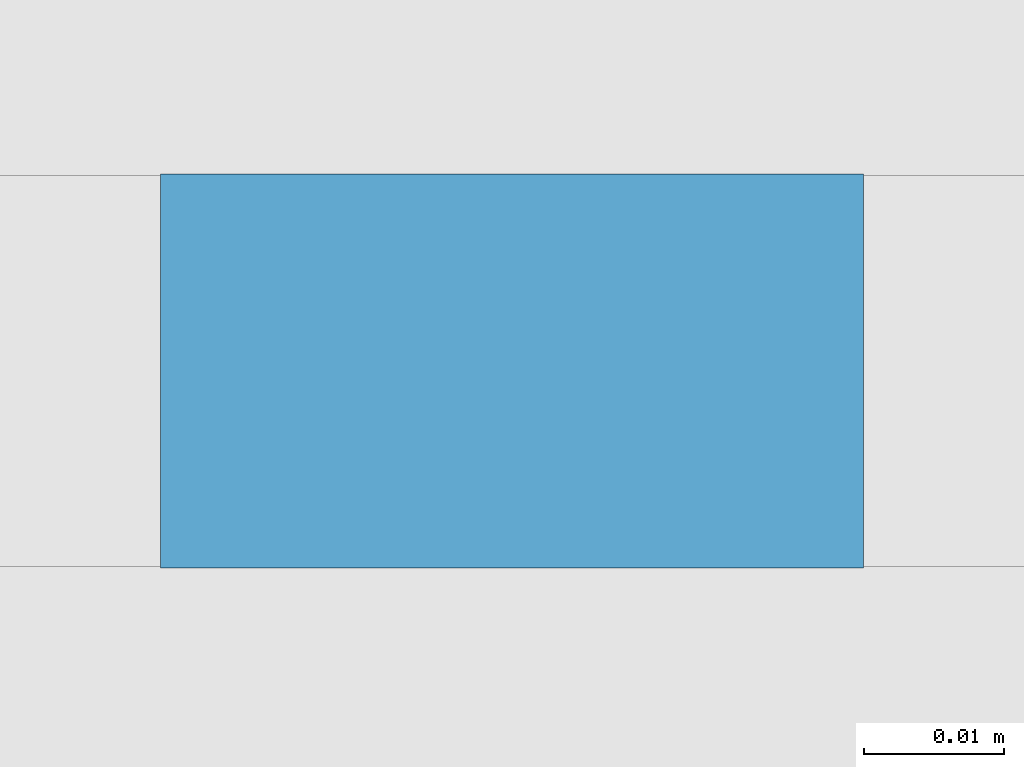
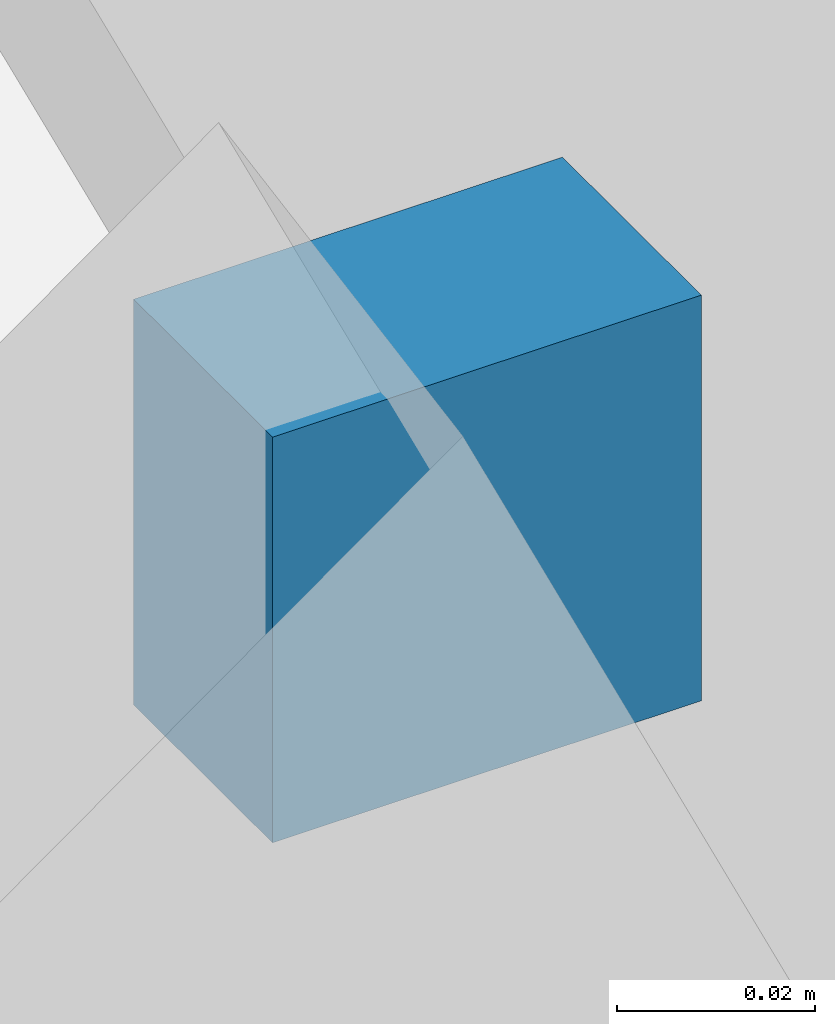
# One storey, part 19 of 26: 1 discrete accessory, 1 element without a shape of its own.
"""IFC4 building model written with IfcOpenShell, lengths in metres."""

from ifc_helpers import new_model, si_unit, direction, frame, origin, origin_2d, place, context, subcontext, project, spatial, rectangle, extrude, material, type_object, element, aggregate, save


model = new_model("IFC4")

# Units and contexts
model_context = context("Model", 3, precision=1e-05, world=origin(), true_north=direction((0.0, 1.0)))
body_context = subcontext(model_context, "Body", "Model", "MODEL_VIEW")
ifc_project = project(units=[si_unit("LENGTHUNIT", "METRE"), si_unit("AREAUNIT", "SQUARE_METRE"), si_unit("VOLUMEUNIT", "CUBIC_METRE"), si_unit("PLANEANGLEUNIT", "RADIAN"), si_unit("MASSUNIT", "GRAM", prefix="KILO")], contexts=[model_context])

# Site, building, storey
site_placement = place(None, origin())
site = spatial("IfcSite", under=ifc_project, at=site_placement, CompositionType="ELEMENT")
building_placement = place(site_placement, origin())
building = spatial("IfcBuilding", under=site, at=building_placement, Name="Tessera Arch", CompositionType="ELEMENT")
storey_placement = place(building_placement, frame((0.0, 0.0, 96.800048828125)))
storey = spatial("IfcBuildingStorey", under=building, at=storey_placement, Name="L22", CompositionType="ELEMENT", Elevation=96.800048828125)

# Curtain wall, discrete accessory
ifc_material = material(Name="CW3 curtain wall")
curtain_wall_type = type_object("IfcCurtainWallType", Name="CW3 curtain wall", PredefinedType="NOTDEFINED", material=ifc_material)
curtain_wall_placement = place(storey_placement, origin())
curtain_wall = element("IfcCurtainWall", 1, at=curtain_wall_placement, inside=storey, type_object=curtain_wall_type, Name="CW3 curtain wall S0.27/1 L22", PredefinedType="NOTDEFINED")
discrete_accessory_placement = place(storey_placement, frame((41.010986328125, -0.0439453125, 1.0537109375), z_axis=(0.0, 0.0, 1.0), x_axis=(1.0, 0.0, 0.0)))
discrete_accessory = element("IfcDiscreteAccessory", 2, at=discrete_accessory_placement, Name="Glazing bracket", PredefinedType="BRACKET", context=body_context, shape_type="SweptSolid", body=[
    extrude(rectangle(XDim=0.050048828125, YDim=0.028076171875, at=origin_2d()), origin(), (0.0, 0.0, 1.0), 0.050048828125),
])
aggregate(curtain_wall, [discrete_accessory])

save(model, "model.ifc")
